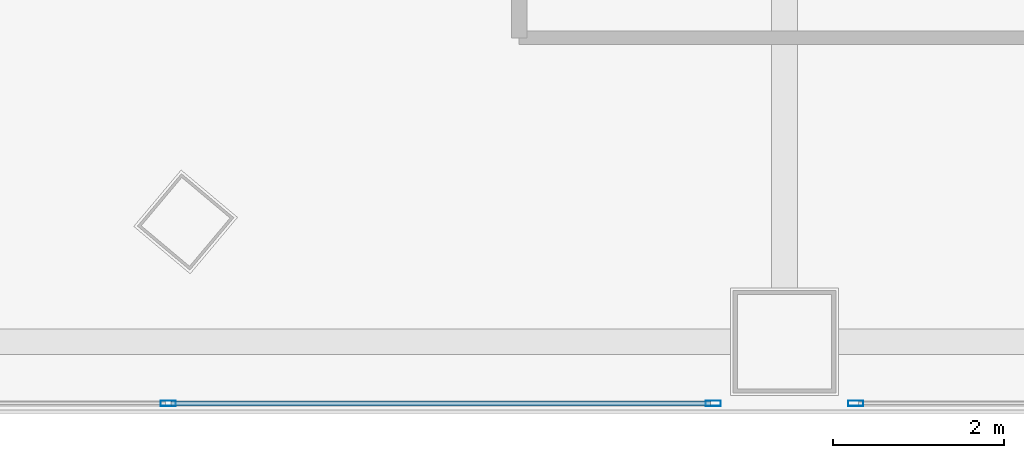
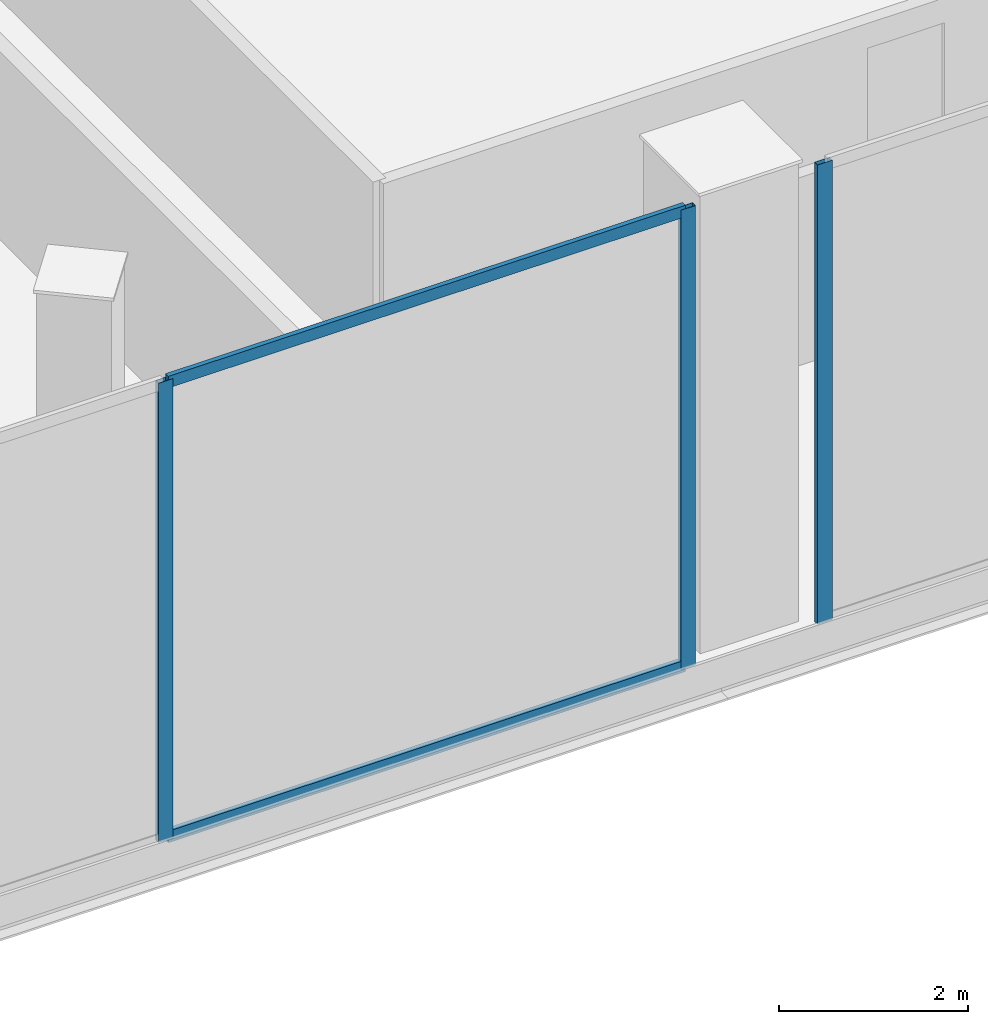
# One storey, part 5 of 41: 5 members, 2 elements without a shape of their own.
"""IFC4 building model written with IfcOpenShell, lengths in metres."""

from ifc_helpers import new_model, si_unit, direction, frame, origin, origin_2d, place, context, subcontext, project, spatial, hollow_rectangle, extrude, source, transform, mapped, material, layer, layer_set, material_profile, profile_set, type_object, element, aggregate, save


model = new_model("IFC4")

# Units and contexts
model_context = context("Model", 3, precision=1e-05, world=origin(), true_north=direction((0.0, 1.0)))
body_context = subcontext(model_context, "Body", "Model", "MODEL_VIEW")
ifc_project = project(units=[si_unit("LENGTHUNIT", "METRE"), si_unit("AREAUNIT", "SQUARE_METRE"), si_unit("VOLUMEUNIT", "CUBIC_METRE"), si_unit("PLANEANGLEUNIT", "RADIAN"), si_unit("MASSUNIT", "GRAM", prefix="KILO"), si_unit("THERMODYNAMICTEMPERATUREUNIT", "KELVIN"), si_unit("POWERUNIT", "WATT")], contexts=[model_context])

# Site, building, storey
site_placement = place(None, origin())
site = spatial("IfcSite", under=ifc_project, at=site_placement, CompositionType="ELEMENT")
building_placement = place(site_placement, origin())
building = spatial("IfcBuilding", under=site, at=building_placement, Name="Yunzhuo Pagoda Commons", CompositionType="ELEMENT")
storey_placement = place(building_placement, frame((0.0, 0.0, 19.199951171875)))
storey = spatial("IfcBuildingStorey", under=building, at=storey_placement, Name="L05", CompositionType="ELEMENT", Elevation=19.199951171875)

# Curtain wall, members
ifc_material = material(Name="Anodized aluminium 6063-T6", Category="aluminium")
ifc_layer = layer(ifc_material, 0.179931640625)
ifc_layer_set = layer_set([ifc_layer], Name="Anodized aluminium 6063-T6")
curtain_wall_type = type_object("IfcCurtainWallType", Name="CW-POD Waterfront Podium Curtain Wall", PredefinedType="NOTDEFINED", material=ifc_layer_set)
curtain_wall_1_placement = place(storey_placement, origin())
curtain_wall_1 = element("IfcCurtainWall", 1, at=curtain_wall_1_placement, inside=storey, type_object=curtain_wall_type, Name="L05 curtain wall CW-L05-S2", PredefinedType="NOTDEFINED")
ifc_material_profile_1 = material_profile(ifc_material, hollow_rectangle(XDim=0.06005859375, YDim=0.14990234375, WallThickness=0.00390625, at=origin_2d()), Name="Anodized aluminium 6063-T6")
ifc_profile_set_1 = profile_set([ifc_material_profile_1], Name="Anodized aluminium 6063-T6")
member_type_1 = type_object("IfcMemberType", Name="CW-POD-T Transom RHS 150x60x4", PredefinedType="USERDEFINED", material=ifc_profile_set_1)
shared_shape_1 = source(origin(), body_context, "Body", "SweptSolid", [
    extrude(hollow_rectangle(XDim=0.06005859375, YDim=0.14990234375, WallThickness=0.00390625, at=origin_2d()), origin(), (0.0, 0.0, 1.0), 6.302490234375),
])
member_1_placement = place(storey_placement, frame((26.4326171875, 6.080078125, 0.0302734375), z_axis=(1.0, 0.0, 0.0), x_axis=(0.0, 1.0, 0.0)))
member_1 = element("IfcMember", 2, at=member_1_placement, type_object=member_type_1, Name="CW transom 2.1", ObjectType="TRANSOM", PredefinedType="USERDEFINED", context=body_context, shape_type="MappedRepresentation", body=[
    mapped(shared_shape_1, transform((0.0, 0.0, 0.0), scale=1.0)),
])
member_2_placement = place(storey_placement, frame((26.4326171875, 6.080078125, 5.89013671875), z_axis=(1.0, 0.0, 0.0), x_axis=(0.0, 1.0, 0.0)))
member_2 = element("IfcMember", 3, at=member_2_placement, type_object=member_type_1, Name="CW transom 2.2", ObjectType="TRANSOM", PredefinedType="USERDEFINED", context=body_context, shape_type="MappedRepresentation", body=[
    mapped(shared_shape_1, transform((0.0, 0.0, 0.0), scale=1.0)),
])
ifc_material_profile_2 = material_profile(ifc_material, hollow_rectangle(XDim=0.06494140625, YDim=0.179931640625, WallThickness=0.00390625, at=origin_2d()), Name="Anodized aluminium 6063-T6")
ifc_profile_set_2 = profile_set([ifc_material_profile_2], Name="Anodized aluminium 6063-T6")
member_type_2 = type_object("IfcMemberType", Name="CW-POD-M Mullion RHS 180x65x4", PredefinedType="MULLION", material=ifc_profile_set_2)
shared_shape_2 = source(origin(), body_context, "Body", "SweptSolid", [
    extrude(hollow_rectangle(XDim=0.06494140625, YDim=0.179931640625, WallThickness=0.00390625, at=origin_2d()), origin(), (0.0, 0.0, 1.0), 5.920166015625),
])
member_3_placement = place(storey_placement, frame((26.39990234375, 6.080078125, 0.0), z_axis=(0.0, 0.0, 1.0), x_axis=(0.0, 1.0, 0.0)))
member_3 = element("IfcMember", 4, at=member_3_placement, type_object=member_type_2, Name="CW mullion 2", PredefinedType="MULLION", context=body_context, shape_type="MappedRepresentation", body=[
    mapped(shared_shape_2, transform((0.0, 0.0, 0.0), scale=1.0)),
])
member_4_placement = place(storey_placement, frame((32.767578125, 6.080078125, 0.0), z_axis=(0.0, 0.0, 1.0), x_axis=(0.0, 1.0, 0.0)))
member_4 = element("IfcMember", 5, at=member_4_placement, type_object=member_type_2, Name="CW mullion 3", PredefinedType="MULLION", context=body_context, shape_type="MappedRepresentation", body=[
    mapped(shared_shape_2, transform((0.0, 0.0, 0.0), scale=1.0)),
])
aggregate(curtain_wall_1, [member_3, member_4, member_1, member_2])

# Curtain wall, member
curtain_wall_2_placement = place(storey_placement, origin())
curtain_wall_2 = element("IfcCurtainWall", 6, at=curtain_wall_2_placement, inside=storey, type_object=curtain_wall_type, Name="L05 curtain wall CW-L05-S3", PredefinedType="NOTDEFINED")
member_5_placement = place(storey_placement, frame((34.4326171875, 6.080078125, 0.0), z_axis=(0.0, 0.0, 1.0), x_axis=(0.0, 1.0, 0.0)))
member_5 = element("IfcMember", 7, at=member_5_placement, type_object=member_type_2, Name="CW mullion 1", PredefinedType="MULLION", context=body_context, shape_type="MappedRepresentation", body=[
    mapped(shared_shape_2, transform((0.0, 0.0, 0.0), scale=1.0)),
])
aggregate(curtain_wall_2, [member_5])

save(model, "model.ifc")
